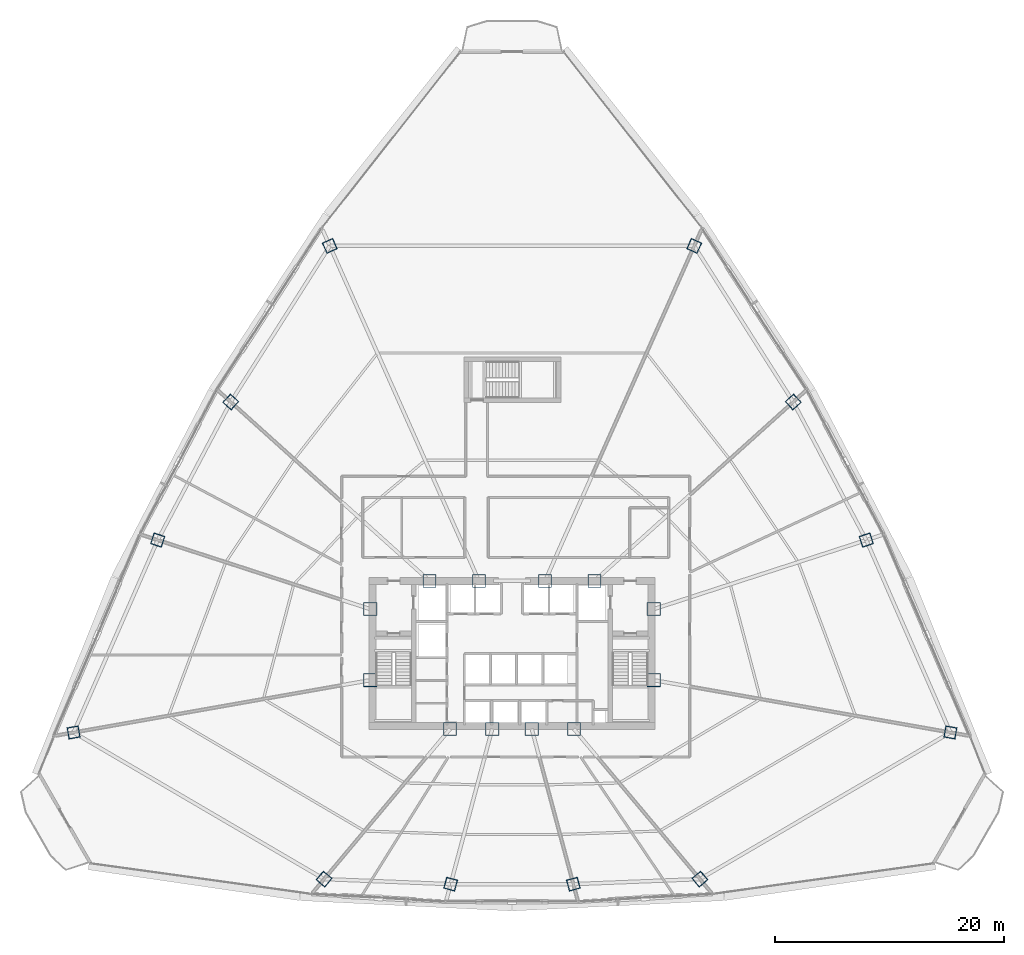
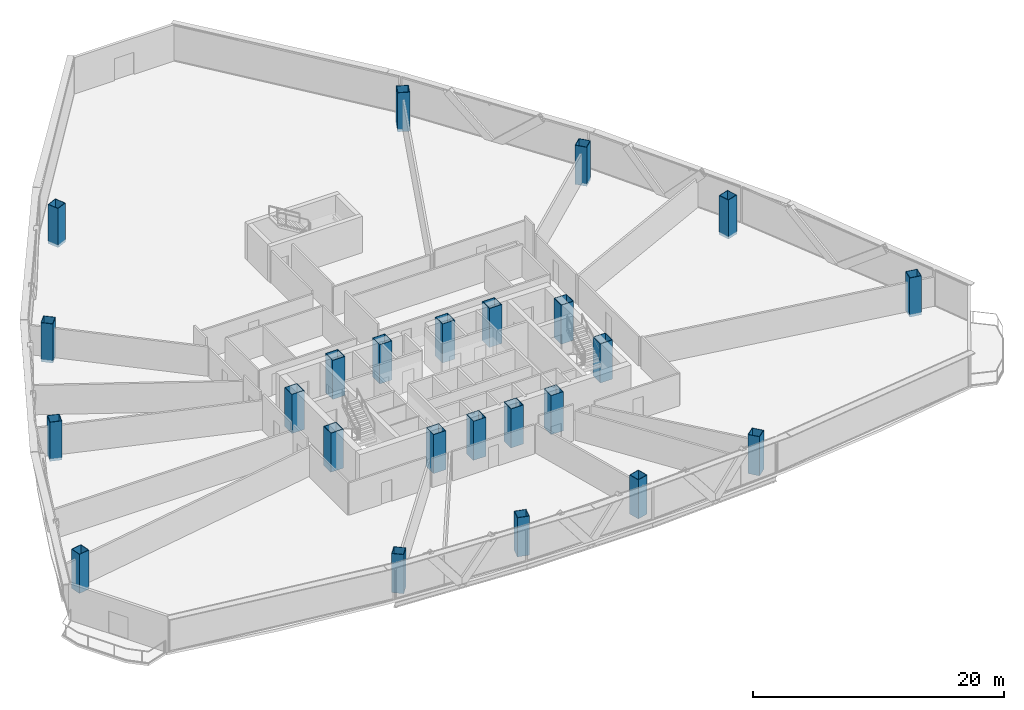
# One storey, part 1 of 36: 24 columns.
"""IFC4 building model written with IfcOpenShell, lengths in metres."""

from ifc_helpers import new_model, si_unit, direction, frame, origin, origin_2d, place, context, subcontext, project, spatial, hollow_rectangle, extrude, source, transform, mapped, material, material_profile, profile_set, type_object, element, save


model = new_model("IFC4")

# Units and contexts
model_context = context("Model", 3, precision=1e-05, world=origin(), true_north=direction((0.0, 1.0)))
body_context = subcontext(model_context, "Body", "Model", "MODEL_VIEW")
ifc_project = project(units=[si_unit("LENGTHUNIT", "METRE"), si_unit("AREAUNIT", "SQUARE_METRE"), si_unit("VOLUMEUNIT", "CUBIC_METRE"), si_unit("PLANEANGLEUNIT", "RADIAN"), si_unit("MASSUNIT", "GRAM", prefix="KILO"), si_unit("THERMODYNAMICTEMPERATUREUNIT", "KELVIN"), si_unit("POWERUNIT", "WATT")], contexts=[model_context])

# Site, building, storey
site_placement = place(None, origin())
site = spatial("IfcSite", under=ifc_project, at=site_placement, CompositionType="ELEMENT")
building_placement = place(site_placement, origin())
building = spatial("IfcBuilding", under=site, at=building_placement, Name="Yunzhuo Pagoda Commons", CompositionType="ELEMENT")
storey_placement = place(building_placement, frame((0.0, 0.0, 103.97998046875)))
storey = spatial("IfcBuildingStorey", under=building, at=storey_placement, Name="L26", CompositionType="ELEMENT", Elevation=103.97998046875)

# Columns
ifc_material = material(Name="Structural steel Q420B", Category="steel")
ifc_material_profile_1 = material_profile(ifc_material, hollow_rectangle(XDim=1.14990234375, YDim=1.14990234375, WallThickness=0.048095703125, at=origin_2d()), Name="Structural steel Q420B")
ifc_profile_set_1 = profile_set([ifc_material_profile_1], Name="Structural steel Q420B")
column_type_1 = type_object("IfcColumnType", Name="C-COR Column BOX 1150x1150x48", PredefinedType="COLUMN", material=ifc_profile_set_1)
shared_shape_1 = source(origin(), body_context, "Body", "SweptSolid", [
    extrude(hollow_rectangle(XDim=1.14990234375, YDim=1.14990234375, WallThickness=0.048095703125, at=origin_2d()), origin(), (0.0, 0.0, 1.0), 3.80029296875),
])
for number, where, z_axis, x_axis, name in (
    (1, (42.587890625, 27.25, -0.260009765625), (0.0, 0.0, 1.0), (1.0, 0.0, 0.0), "L26 core composite column F1C1"),
    (2, (46.27197265625, 27.25, -0.260009765625), (0.0, 0.0, 1.0), (1.0, 0.0, 0.0), "L26 core composite column F1C2"),
    (3, (49.728515625, 27.25, -0.260009765625), (0.0, 0.0, 1.0), (1.0, 0.0, 0.0), "L26 core composite column F1C3"),
    (4, (53.412109375, 27.25, -0.260009765625), (0.0, 0.0, 1.0), (1.0, 0.0, 0.0), "L26 core composite column F1C4"),
    (5, (60.39990234375, 31.513427734375, -0.260009765625), (0.0, 0.0, 1.0), (1.0, 0.0, 0.0), "L26 core composite column F2C1"),
    (6, (60.39990234375, 37.72900390625, -0.260009765625), (0.0, 0.0, 1.0), (1.0, 0.0, 0.0), "L26 core composite column F2C2"),
    (7, (55.218994140625, 40.199951171875, -0.260009765625), (0.0, 0.0, 1.0), (1.0, 0.0, 0.0), "L26 core composite column F2C3"),
    (8, (50.89404296875, 40.199951171875, -0.260009765625), (0.0, 0.0, 1.0), (1.0, 0.0, 0.0), "L26 core composite column F2C4"),
    (9, (45.10595703125, 40.199951171875, -0.260009765625), (0.0, 0.0, 1.0), (1.0, 0.0, 0.0), "L26 core composite column F3C1"),
    (10, (40.781005859375, 40.199951171875, -0.260009765625), (0.0, 0.0, 1.0), (1.0, 0.0, 0.0), "L26 core composite column F3C2"),
    (11, (35.60009765625, 37.72900390625, -0.260009765625), (0.0, 0.0, 1.0), (1.0, 0.0, 0.0), "L26 core composite column F3C3"),
    (12, (35.60009765625, 31.513427734375, -0.260009765625), (0.0, 0.0, 1.0), (1.0, 0.0, 0.0), "L26 core composite column F3C4"),
):
    element("IfcColumn", number, at=place(storey_placement, frame(where, z_axis=z_axis, x_axis=x_axis)), inside=storey, type_object=column_type_1, Name=name, PredefinedType="COLUMN", context=body_context, shape_type="MappedRepresentation", body=[
        mapped(shared_shape_1, transform((0.0, 0.0, 0.0), scale=1.0)),
    ])
ifc_material_profile_2 = material_profile(ifc_material, hollow_rectangle(XDim=1.0, YDim=1.0, WallThickness=0.0419921875, at=origin_2d()), Name="Structural steel Q420B")
ifc_profile_set_2 = profile_set([ifc_material_profile_2], Name="Structural steel Q420B")
column_type_2 = type_object("IfcColumnType", Name="C-Z2 Column BOX 1000x1000x42", PredefinedType="COLUMN", material=ifc_profile_set_2)
shared_shape_2 = source(origin(), body_context, "Body", "SweptSolid", [
    extrude(hollow_rectangle(XDim=1.0, YDim=1.0, WallThickness=0.0419921875, at=origin_2d()), origin(), (0.0, 0.0, 1.0), 3.80029296875),
])
for number, where, z_axis, x_axis, name in (
    (13, (31.56396484375, 14.1123046875, -0.260009765625), (0.0, 0.0, 1.0), (0.766044443119, -0.642787609687, 0.0), "L26 tower column F1C1"),
    (14, (42.632568359375, 13.66845703125, -0.260009765625), (0.0, 0.0, 1.0), (0.965925826289, -0.258819045103, 0.0), "L26 tower column F1C2"),
    (15, (53.367431640625, 13.66845703125, -0.260009765625), (0.0, 0.0, 1.0), (0.965925826289, 0.258819045103, 0.0), "L26 tower column F1C3"),
    (16, (64.43603515625, 14.1123046875, -0.260009765625), (0.0, 0.0, 1.0), (0.766044443119, 0.642787609687, 0.0), "L26 tower column F1C4"),
    (17, (86.352783203125, 26.9375, -0.260009765625), (0.0, 0.0, 1.0), (0.173648177667, 0.984807753012, 0.0), "L26 tower column F2C1"),
    (18, (78.99072265625, 43.76953125, -0.260009765625), (0.0, 0.0, 1.0), (-0.309016994375, 0.951056516295, 0.0), "L26 tower column F2C2"),
    (19, (72.602783203125, 55.852294921875, -0.260009765625), (0.0, 0.0, 1.0), (-0.669130606359, 0.743144825477, 0.0), "L26 tower column F2C3"),
    (20, (63.94140625, 69.505126953125, -0.260009765625), (0.0, 0.0, 1.0), (-0.913545457643, 0.406736643076, 0.0), "L26 tower column F2C4"),
    (21, (32.05859375, 69.505126953125, -0.260009765625), (0.0, 0.0, 1.0), (-0.913545457643, -0.406736643076, 0.0), "L26 tower column F3C1"),
    (22, (23.397216796875, 55.852294921875, -0.260009765625), (0.0, 0.0, 1.0), (-0.669130606359, -0.743144825477, 0.0), "L26 tower column F3C2"),
    (23, (17.00927734375, 43.76953125, -0.260009765625), (0.0, 0.0, 1.0), (-0.309016994375, -0.951056516295, 0.0), "L26 tower column F3C3"),
    (24, (9.647216796875, 26.9375, -0.260009765625), (0.0, 0.0, 1.0), (0.173648177667, -0.984807753012, 0.0), "L26 tower column F3C4"),
):
    element("IfcColumn", number, at=place(storey_placement, frame(where, z_axis=z_axis, x_axis=x_axis)), inside=storey, type_object=column_type_2, Name=name, PredefinedType="COLUMN", context=body_context, shape_type="MappedRepresentation", body=[
        mapped(shared_shape_2, transform((0.0, 0.0, 0.0), scale=1.0)),
    ])

save(model, "model.ifc")
